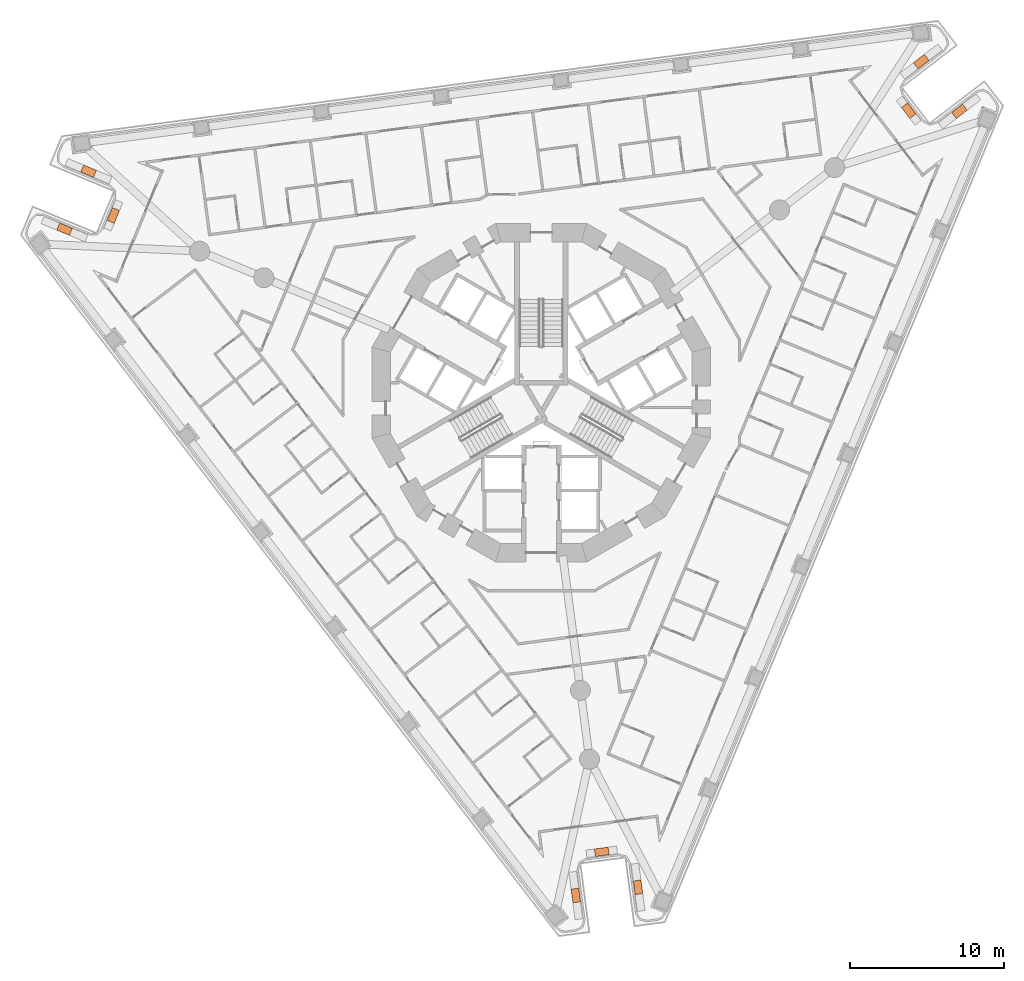
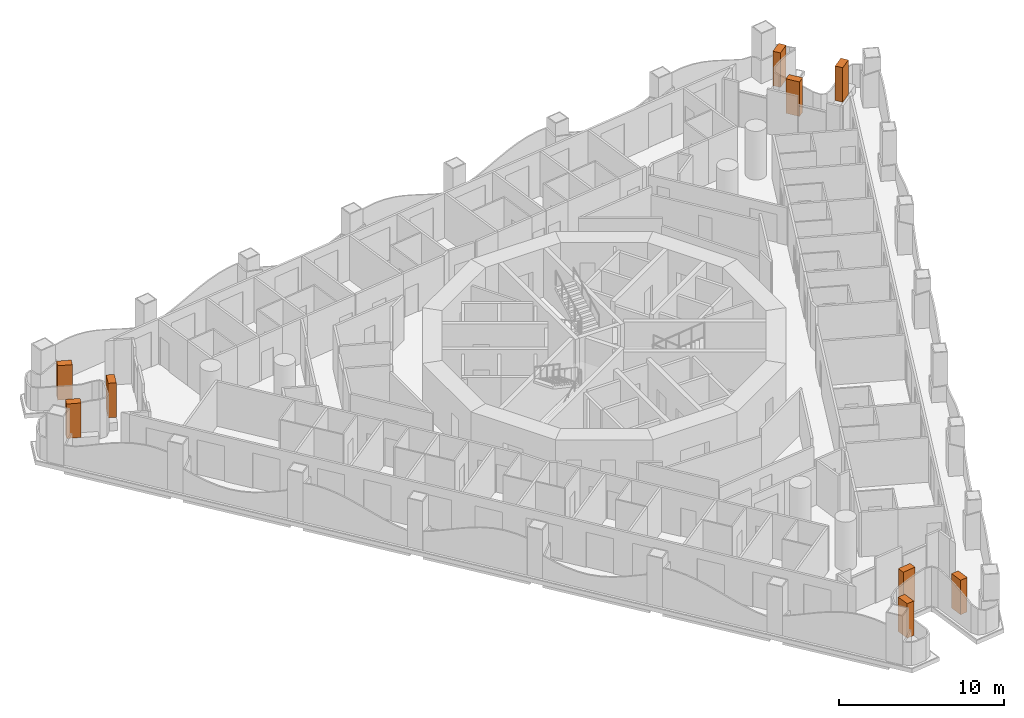
# One storey, part 19 of 19: 9 geographic elements.
"""IFC4 building model written with IfcOpenShell, lengths in metres."""

import ifcopenshell
import ifcopenshell.guid

model = None  # the IFC model being written
_history = None  # IfcOwnerHistory: only IFC2X3 demands one
_inside = {}  # id of a spatial element -> (the spatial element, [elements in it])
_under = {}  # id of a project, library or spatial element -> (it, [spatial elements below it])
_declared = {}  # id of a project -> (the project, [libraries it declares])
_typed = {}  # id of a type object -> (the type object, [elements of that type])
_made_of = {}  # id of a material, layer set ... -> (it, [elements and type objects made of it])


def new_model(schema):
    """Start an empty IFC model of exactly this schema.

    Asked for "IFC4X3", IfcOpenShell would pick the latest addendum, in which some entities
    have other attributes; the version numbers below select the first issue.
    IFC2X3 requires an IfcOwnerHistory on every rooted entity: one is made here for all.
    """
    global model, _history
    if schema == "IFC4X3":
        model = ifcopenshell.file(schema_version=(4, 3, 0, 0))
    else:
        model = ifcopenshell.file(schema=schema)
    _inside.clear()
    _under.clear()
    _declared.clear()
    _typed.clear()
    _made_of.clear()
    _history = None
    if model.schema == "IFC2X3":
        org = make("IfcOrganization", Name="unknown")
        user = make(
            "IfcPersonAndOrganization",
            ThePerson=make("IfcPerson", FamilyName="unknown"),
            TheOrganization=org,
        )
        app = make(
            "IfcApplication",
            ApplicationDeveloper=org,
            Version="unknown",
            ApplicationFullName="unknown",
            ApplicationIdentifier="unknown",
        )
        _history = make(
            "IfcOwnerHistory",
            OwningUser=user,
            OwningApplication=app,
            ChangeAction="ADDED",
            CreationDate=0,
        )
    return model


def make(cls, **values):
    """One entity of the class cls with the attributes given. An attribute that is None is left unset."""
    return model.create_entity(
        cls, **{name: value for name, value in values.items() if value is not None}
    )


def rooted(cls, **values):
    """An entity with a GlobalId (a new one), such as an element, a storey or a relation."""
    return make(cls, GlobalId=ifcopenshell.guid.new(), OwnerHistory=_history, **values)


def si_unit(unit_type, name, prefix=None):
    """IfcSIUnit, for example si_unit("LENGTHUNIT", "METRE", prefix="MILLI")."""
    return make("IfcSIUnit", UnitType=unit_type, Prefix=prefix, Name=name)


def assignment(units):
    """IfcUnitAssignment: the units of a project."""
    return None if units is None else make("IfcUnitAssignment", Units=units)


def point(xyz):
    """IfcCartesianPoint."""
    return None if xyz is None else make("IfcCartesianPoint", Coordinates=xyz)


def direction(xyz):
    """IfcDirection."""
    return None if xyz is None else make("IfcDirection", DirectionRatios=xyz)


def frame(location, z_axis=None, x_axis=None):
    """IfcAxis2Placement3D, a coordinate frame: its origin and axes. An axis left out is left unset."""
    return make(
        "IfcAxis2Placement3D",
        Location=point(location),
        Axis=direction(z_axis),
        RefDirection=direction(x_axis),
    )


def frame_2d(location, x_axis=None):
    """IfcAxis2Placement2D, a coordinate frame in the plane: its origin and x axis."""
    return make(
        "IfcAxis2Placement2D", Location=point(location), RefDirection=direction(x_axis)
    )


def origin():
    """The frame at (0, 0, 0) with its axes left unset."""
    return frame((0.0, 0.0, 0.0))


def origin_2d():
    """The frame at (0, 0) in the plane with its x axis left unset."""
    return frame_2d((0.0, 0.0))


def place(relative_to, where):
    """IfcLocalPlacement: puts the frame where relative to a parent placement (None: the world)."""
    return make(
        "IfcLocalPlacement", PlacementRelTo=relative_to, RelativePlacement=where
    )


def context(
    kind, dimensions, precision=None, world=None, true_north=None, identifier=None
):
    """IfcGeometricRepresentationContext, for example the 3D "Model" context."""
    return make(
        "IfcGeometricRepresentationContext",
        ContextIdentifier=identifier,
        ContextType=kind,
        CoordinateSpaceDimension=dimensions,
        Precision=precision,
        WorldCoordinateSystem=world,
        TrueNorth=true_north,
    )


def subcontext(parent, identifier, kind, view, scale=None):
    """IfcGeometricRepresentationSubContext, for example "Body" below "Model"."""
    return make(
        "IfcGeometricRepresentationSubContext",
        ContextIdentifier=identifier,
        ContextType=kind,
        ParentContext=parent,
        TargetScale=scale,
        TargetView=view,
    )


def project(units=None, contexts=None):
    """IfcProject with its units and contexts."""
    return rooted(
        "IfcProject",
        Name="project",
        RepresentationContexts=contexts,
        UnitsInContext=assignment(units),
    )


def spatial(cls, under=None, at=None, **own):
    """A site, building, storey or space (cls), placed at a placement, below another one or the project."""
    s = rooted(cls, ObjectPlacement=at, **own)
    if under is not None:
        _under.setdefault(under.id(), (under, []))[1].append(s)
    return s


def profile(cls, at=None, kind="AREA", **sizes):
    """A parametric profile (cls). Its sizes go by their IFC names, for example OverallWidth=200.0."""
    return make(cls, ProfileType=kind, Position=at, **sizes)


def rectangle(**sizes):
    """IfcRectangleProfileDef."""
    return profile("IfcRectangleProfileDef", **sizes)


def extrude(swept, where, along, depth):
    """IfcExtrudedAreaSolid: the profile swept, set in the frame where, extruded along a direction by depth."""
    return make(
        "IfcExtrudedAreaSolid",
        SweptArea=swept,
        Position=where,
        ExtrudedDirection=direction(along),
        Depth=depth,
    )


def shape(context_of_items, identifier, shape_type, items):
    """IfcShapeRepresentation: the items that make up one representation, for example the "Body"."""
    return make(
        "IfcShapeRepresentation",
        ContextOfItems=context_of_items,
        RepresentationIdentifier=identifier,
        RepresentationType=shape_type,
        Items=items,
    )


def made_of(thing, what):
    """Note that an element or type object is made of a material, layer set ...; save() writes the relation."""
    if what is not None:
        _made_of.setdefault(what.id(), (what, []))[1].append(thing)
    return thing


def element(
    cls,
    number,
    at=None,
    inside=None,
    cuts=None,
    type_object=None,
    material=None,
    context=None,
    identifier="Body",
    shape_type=None,
    held_by="IfcProductDefinitionShape",
    body=None,
    shapes=None,
    **own,
):
    """One element of the class cls, such as IfcWall. Its Tag is "e" and its number.

    at: its placement. inside: the storey or other place that contains it. cuts: it is an
    opening in that element (IfcRelVoidsElement). A single representation is given by context,
    identifier, shape_type and body (its items); several are given by shapes. held_by: the class
    of the entity that holds the representations. save() writes the other relations.
    """
    e = rooted(cls, Tag="e%d" % number, ObjectPlacement=at, **own)
    if body is not None:
        shapes = [shape(context, identifier, shape_type, body)]
    if shapes is not None:
        e.Representation = make(held_by, Representations=shapes)
    if inside is not None:
        _inside.setdefault(inside.id(), (inside, []))[1].append(e)
    if cuts is not None:
        rooted(
            "IfcRelVoidsElement", RelatingBuildingElement=cuts, RelatedOpeningElement=e
        )
    if type_object is not None:
        _typed.setdefault(type_object.id(), (type_object, []))[1].append(e)
    return made_of(e, material)


def aggregate(whole, parts):
    """IfcRelAggregates: a whole, such as a stair, and the parts it consists of."""
    return rooted("IfcRelAggregates", RelatingObject=whole, RelatedObjects=parts)


def save(model, path):
    """Write the relations noted so far, then the file.

    IfcRelAggregates (storeys below a building ...), IfcRelContainedInSpatialStructure (elements
    in a storey), IfcRelDefinesByType, IfcRelAssociatesMaterial and IfcRelDeclares: one each for
    every whole, place, type object, material and project.
    """
    for whole, parts in _under.values():
        aggregate(whole, parts)
    for where, things in _inside.values():
        rooted(
            "IfcRelContainedInSpatialStructure",
            RelatedElements=things,
            RelatingStructure=where,
        )
    for kind, things in _typed.values():
        rooted("IfcRelDefinesByType", RelatedObjects=things, RelatingType=kind)
    for what, things in _made_of.values():
        rooted("IfcRelAssociatesMaterial", RelatedObjects=things, RelatingMaterial=what)
    for by, libraries in _declared.values():
        rooted("IfcRelDeclares", RelatingContext=by, RelatedDefinitions=libraries)
    model.write(path)


model = new_model("IFC4")

# Units and contexts
model_context = context("Model", 3, precision=1e-05, world=origin(), true_north=direction((0.0, 1.0)))
body_context = subcontext(model_context, "Body", "Model", "MODEL_VIEW")
ifc_project = project(units=[si_unit("LENGTHUNIT", "METRE"), si_unit("AREAUNIT", "SQUARE_METRE"), si_unit("VOLUMEUNIT", "CUBIC_METRE"), si_unit("PLANEANGLEUNIT", "RADIAN"), si_unit("MASSUNIT", "GRAM", prefix="KILO")], contexts=[model_context])

# Site, building, storey
site_placement = place(None, origin())
site = spatial("IfcSite", under=ifc_project, at=site_placement, CompositionType="ELEMENT")
building_placement = place(site_placement, origin())
building = spatial("IfcBuilding", under=site, at=building_placement, Name="Trine Commons Tower", CompositionType="ELEMENT")
storey_placement = place(building_placement, frame((0.0, 0.0, 54.0)))
storey = spatial("IfcBuildingStorey", under=building, at=storey_placement, Name="L12", CompositionType="ELEMENT", Elevation=54.0)

# Geographic elements
for number, where, z_axis, x_axis, name in (
    (1, (49.005126953125, 73.13037109375, 0.60009765625), (0.0, 0.0, 1.0), (0.923885543575, -0.382668920052, 0.0), "Tree 1.1"),
    (2, (52.1787109375, 74.02392578125, 0.60009765625), (0.0, 0.0, 1.0), (0.382688269782, 0.923877528773, 0.0), "Tree 2.1"),
    (3, (50.56640625, 76.89990234375, 0.60009765625), (0.0, 0.0, 1.0), (-0.923885543575, 0.382668920052, 0.0), "Tree 3.1"),
    (4, (104.70361328125, 84.027099609375, 0.60009765625), (0.0, 0.0, 1.0), (-0.793358652707, -0.608754505672, 0.0), "Tree 4.1"),
    (5, (103.890625, 80.831787109375, 0.60009765625), (0.0, 0.0, 1.0), (0.608735120081, -0.793373527148, 0.0), "Tree 5.1"),
    (6, (107.187255859375, 80.790283203125, 0.60009765625), (0.0, 0.0, 1.0), (0.793358652707, 0.608754505672, 0.0), "Tree 6.1"),
    (7, (86.291259765625, 30.342529296875, 0.60009765625), (0.0, 0.0, 1.0), (-0.130517540226, 0.991446000392, 0.0), "Tree 7.1"),
    (8, (83.9306640625, 32.64404296875, 0.60009765625), (0.0, 0.0, 1.0), (-0.991442583111, -0.130543496177, 0.0), "Tree 8.1"),
    (9, (82.24609375, 29.81005859375, 0.60009765625), (0.0, 0.0, 1.0), (0.130546956964, -0.991442127422, 0.0), "Tree 9.1"),
):
    element("IfcGeographicElement", number, at=place(storey_placement, frame(where, z_axis=z_axis, x_axis=x_axis)), inside=storey, Name=name, ObjectType="TREE Tabebuia rosea", PredefinedType="USERDEFINED", context=body_context, shape_type="SweptSolid", body=[
        extrude(rectangle(XDim=0.89990234375, YDim=0.5, at=origin_2d()), origin(), (0.0, 0.0, 1.0), 2.550048828125),
    ])

save(model, "model.ifc")
